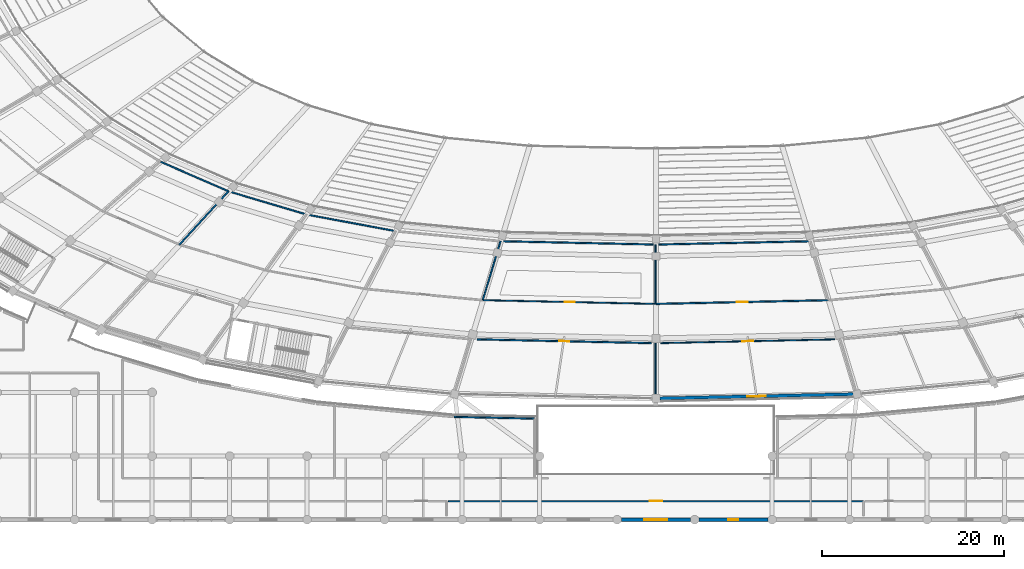
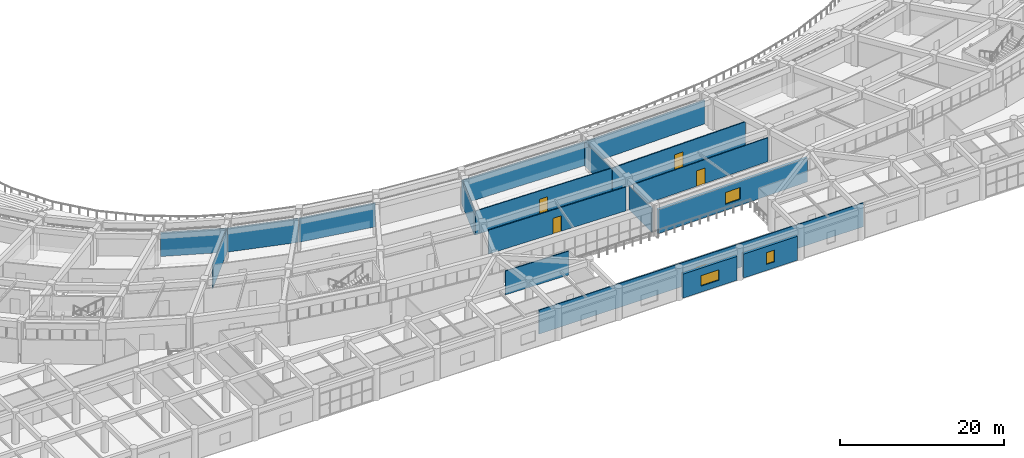
# One storey, part 98 of 152: 18 walls, 5 doors, 3 windows, 8 openings.
"""IFC4 building model written with IfcOpenShell, lengths in metres."""

from ifc_helpers import new_model, si_unit, direction, frame, frame_2d, origin, place, context, subcontext, project, spatial, rectangle, extrude, material, layer, layer_set, type_object, element, fill, save


model = new_model("IFC4")

# Units and contexts
model_context = context("Model", 3, precision=1e-05, world=origin(), true_north=direction((0.0, 1.0)))
body_context = subcontext(model_context, "Body", "Model", "MODEL_VIEW")
ifc_project = project(units=[si_unit("LENGTHUNIT", "METRE"), si_unit("AREAUNIT", "SQUARE_METRE"), si_unit("VOLUMEUNIT", "CUBIC_METRE"), si_unit("PLANEANGLEUNIT", "RADIAN"), si_unit("MASSUNIT", "GRAM", prefix="KILO")], contexts=[model_context])

# Site, building, storey
site_placement = place(None, origin())
site = spatial("IfcSite", under=ifc_project, at=site_placement, CompositionType="ELEMENT")
building_placement = place(site_placement, origin())
building = spatial("IfcBuilding", under=site, at=building_placement, Name="Mphavela Belvedere Stadium", CompositionType="ELEMENT")
storey_placement = place(building_placement, frame((0.0, 0.0, 5.39990234375)))
storey = spatial("IfcBuildingStorey", under=building, at=storey_placement, Name="L01", CompositionType="ELEMENT", Elevation=5.39990234375)

# Wall, opening, window
ifc_material_1 = material(Name="Honed ashlar limestone masonry", Category="masonry")
ifc_layer_1 = layer(ifc_material_1, 0.35009765625)
ifc_layer_set_1 = layer_set([ifc_layer_1], Name="Honed ashlar limestone masonry")
wall_type_1 = type_object("IfcWallType", Name="WAL-EXT-ASHLAR-350", PredefinedType="STANDARD", material=ifc_layer_set_1)
wall_1_placement = place(storey_placement, frame((115.4228515625, 13.339111328125, 0.0), z_axis=(0.0, 0.0, 1.0), x_axis=(0.999768218464, 0.021529267282, 0.0)))
wall_1 = element("IfcWall", 1, at=wall_1_placement, inside=storey, type_object=wall_type_1, Name="Classical ashlar facade wall L01-37", PredefinedType="STANDARD", context=body_context, shape_type="SweptSolid", body=[
    extrude(rectangle(XDim=21.273681640625, YDim=0.35009765625, at=frame_2d((10.63671875, 0.0))), origin(), (0.0, 0.0, 1.0), 3.570068359375),
])
opening_1_placement = place(wall_1_placement, frame((9.596923828125, 0.0, 0.89990234375)))
opening_1 = element("IfcOpeningElement", 2, at=opening_1_placement, cuts=wall_1, Name="Opening W-019", PredefinedType="OPENING", context=body_context, shape_type="SweptSolid", body=[
    extrude(rectangle(XDim=2.080078125, YDim=1.75, at=frame_2d((1.0400390625, 0.875))), frame((0.0, 0.18505859375, 0.0), z_axis=(0.0, -1.0, 0.0), x_axis=(1.0, 0.0, 0.0)), (0.0, 0.0, 1.0), 0.3701171875),
])
ifc_material_2 = material(Name="Bronze-anodised thermally broken aluminium window", Category="aluminium")
window_type_1 = type_object("IfcWindowType", Name="WIN-EXT-19", PartitioningType="SINGLE_PANEL", PredefinedType="WINDOW", material=ifc_material_2)
window_1_placement = place(opening_1_placement, origin())
window_1 = element("IfcWindow", 3, at=window_1_placement, inside=storey, type_object=window_type_1, Name="Belvedere gallery window W-019", OverallHeight=1.75, OverallWidth=2.080078125, PartitioningType="SINGLE_PANEL", PredefinedType="WINDOW", context=body_context, shape_type="SweptSolid", body=[
    extrude(rectangle(XDim=2.080078125, YDim=1.75, at=frame_2d((1.0400390625, 0.875))), frame((0.0, 0.030029296875, 0.0), z_axis=(0.0, -1.0, 0.0), x_axis=(1.0, 0.0, 0.0)), (0.0, 0.0, 1.0), 0.06005859375),
])
fill(opening_1, window_1)

wall_2_placement = place(storey_placement, frame((118.785888671875, 0.0, 0.0), z_axis=(0.0, 0.0, 1.0), x_axis=(-1.0, 0.0, 0.0)))
wall_2 = element("IfcWall", 4, at=wall_2_placement, inside=storey, type_object=wall_type_1, Name="South Axial Triumphal Peristyle Portico outer facade bay L01-14", PredefinedType="STANDARD", context=body_context, shape_type="SweptSolid", body=[
    extrude(rectangle(XDim=7.57177734375, YDim=0.35009765625, at=frame_2d((3.785888671875, 0.0))), origin(), (0.0, 0.0, 1.0), 3.56005859375),
])
opening_2_placement = place(wall_2_placement, frame((2.52587890625, 0.0, 0.89990234375)))
opening_2 = element("IfcOpeningElement", 5, at=opening_2_placement, cuts=wall_2, Name="Opening W-055", PredefinedType="OPENING", context=body_context, shape_type="SweptSolid", body=[
    extrude(rectangle(XDim=2.52001953125, YDim=1.550048828125, at=frame_2d((1.260009765625, 0.77490234375))), frame((0.0, 0.18505859375, 0.0), z_axis=(0.0, -1.0, 0.0), x_axis=(1.0, 0.0, 0.0)), (0.0, 0.0, 1.0), 0.3701171875),
])
ifc_material_3 = material(Name="Bronze-anodised thermally broken aluminium window", Category="aluminium")
window_type_2 = type_object("IfcWindowType", Name="WIN-EXT-11", PartitioningType="SINGLE_PANEL", PredefinedType="WINDOW", material=ifc_material_3)
window_2_placement = place(opening_2_placement, origin())
window_2 = element("IfcWindow", 6, at=window_2_placement, inside=storey, type_object=window_type_2, Name="South Axial Triumphal Peristyle Portico classical window W-055", OverallHeight=1.550048828125, OverallWidth=2.52001953125, PartitioningType="SINGLE_PANEL", PredefinedType="WINDOW", context=body_context, shape_type="SweptSolid", body=[
    extrude(rectangle(XDim=2.52001953125, YDim=1.550048828125, at=frame_2d((1.260009765625, 0.77490234375))), frame((0.0, 0.030029296875, 0.0), z_axis=(0.0, -1.0, 0.0), x_axis=(1.0, 0.0, 0.0)), (0.0, 0.0, 1.0), 0.06005859375),
])
fill(opening_2, window_2)

wall_3_placement = place(storey_placement, frame((127.304931640625, 0.0, 0.0), z_axis=(0.0, 0.0, 1.0), x_axis=(-1.0, 0.0, 0.0)))
wall_3 = element("IfcWall", 7, at=wall_3_placement, inside=storey, type_object=wall_type_1, Name="South Axial Triumphal Peristyle Portico outer facade bay L01-15", PredefinedType="STANDARD", context=body_context, shape_type="SweptSolid", body=[
    extrude(rectangle(XDim=7.572998046875, YDim=0.35009765625, at=frame_2d((3.78662109375, 0.0))), origin(), (0.0, 0.0, 1.0), 3.56005859375),
])
opening_3_placement = place(wall_3_placement, frame((3.236572265625, 0.0, 0.89990234375)))
opening_3 = element("IfcOpeningElement", 8, at=opening_3_placement, cuts=wall_3, Name="Opening W-056", PredefinedType="OPENING", context=body_context, shape_type="SweptSolid", body=[
    extrude(rectangle(XDim=1.10009765625, YDim=1.75, at=frame_2d((0.550048828125, 0.875))), frame((0.0, 0.18505859375, 0.0), z_axis=(0.0, -1.0, 0.0), x_axis=(1.0, 0.0, 0.0)), (0.0, 0.0, 1.0), 0.3701171875),
])
ifc_material_4 = material(Name="Bronze-anodised thermally broken aluminium window", Category="aluminium")
window_type_3 = type_object("IfcWindowType", Name="WIN-EXT-12", PartitioningType="SINGLE_PANEL", PredefinedType="WINDOW", material=ifc_material_4)
window_3_placement = place(opening_3_placement, origin())
window_3 = element("IfcWindow", 9, at=window_3_placement, inside=storey, type_object=window_type_3, Name="South Axial Triumphal Peristyle Portico classical window W-056", OverallHeight=1.75, OverallWidth=1.10009765625, PartitioningType="SINGLE_PANEL", PredefinedType="WINDOW", context=body_context, shape_type="SweptSolid", body=[
    extrude(rectangle(XDim=1.10009765625, YDim=1.75, at=frame_2d((0.550048828125, 0.875))), frame((0.0, 0.030029296875, 0.0), z_axis=(0.0, -1.0, 0.0), x_axis=(1.0, 0.0, 0.0)), (0.0, 0.0, 1.0), 0.06005859375),
])
fill(opening_3, window_3)

# Wall, opening, door
ifc_material_5 = material(Name="Moisture-resistant sanitary partition assembly")
ifc_layer_2 = layer(ifc_material_5, 0.125)
ifc_layer_set_2 = layer_set([ifc_layer_2], Name="Moisture-resistant sanitary partition assembly")
wall_type_2 = type_object("IfcWallType", Name="WAL-PART-125", PredefinedType="PARTITIONING", material=ifc_layer_set_2)
wall_4_placement = place(storey_placement, frame((114.9599609375, 23.726318359375, 0.0), z_axis=(0.0, 0.0, 1.0), x_axis=(-0.999768266483, 0.021527037261, 0.0)))
wall_4 = element("IfcWall", 10, at=wall_4_placement, inside=storey, type_object=wall_type_2, Name="Room L01-125 corridor partition", PredefinedType="PARTITIONING", context=body_context, shape_type="SweptSolid", body=[
    extrude(rectangle(XDim=18.9169921875, YDim=0.125, at=frame_2d((9.45849609375, 0.0))), origin(), (0.0, 0.0, 1.0), 3.550048828125),
])
opening_4_placement = place(wall_4_placement, frame((8.908447265625, 0.0, 0.0)))
opening_4 = element("IfcOpeningElement", 11, at=opening_4_placement, cuts=wall_4, Name="Opening ID-138", PredefinedType="OPENING", context=body_context, shape_type="SweptSolid", body=[
    extrude(rectangle(XDim=1.10009765625, YDim=2.300048828125, at=frame_2d((0.550048828125, 1.14990234375))), frame((0.0, 0.072509765625, 0.0), z_axis=(0.0, -1.0, 0.0), x_axis=(1.0, 0.0, 0.0)), (0.0, 0.0, 1.0), 0.14501953125),
])
ifc_material_6 = material(Name="Hardwood acoustic timber doorset", Category="wood")
door_type_1 = type_object("IfcDoorType", Name="DR-INT-30", OperationType="NOTDEFINED", PredefinedType="DOOR", material=ifc_material_6)
door_1_placement = place(opening_4_placement, origin())
door_1 = element("IfcDoor", 12, at=door_1_placement, inside=storey, type_object=door_type_1, Name="Room L01-125 entrance door ID-138", OperationType="SINGLE_SWING_RIGHT", OverallHeight=2.300048828125, OverallWidth=1.10009765625, PredefinedType="DOOR", context=body_context, shape_type="SweptSolid", body=[
    extrude(rectangle(XDim=1.10009765625, YDim=2.300048828125, at=frame_2d((0.550048828125, 1.14990234375))), frame((0.0, 0.02490234375, 0.0), z_axis=(0.0, -1.0, 0.0), x_axis=(1.0, 0.0, 0.0)), (0.0, 0.0, 1.0), 0.050048828125),
])
fill(opening_4, door_1)

wall_5_placement = place(storey_placement, frame((115.51123046875, 19.4169921875, 0.0), z_axis=(0.0, 0.0, 1.0), x_axis=(0.999768107727, 0.021534409017, 0.0)))
wall_5 = element("IfcWall", 13, at=wall_5_placement, inside=storey, type_object=wall_type_2, Name="Room L01-129 corridor partition", PredefinedType="PARTITIONING", context=body_context, shape_type="SweptSolid", body=[
    extrude(rectangle(XDim=19.13720703125, YDim=0.125, at=frame_2d((9.568603515625, 0.0))), origin(), (0.0, 0.0, 1.0), 3.550048828125),
])
opening_5_placement = place(wall_5_placement, frame((8.958740234375, 0.0, 0.0)))
opening_5 = element("IfcOpeningElement", 14, at=opening_5_placement, cuts=wall_5, Name="Opening ID-141", PredefinedType="OPENING", context=body_context, shape_type="SweptSolid", body=[
    extrude(rectangle(XDim=1.219970703125, YDim=2.300048828125, at=frame_2d((0.60986328125, 1.14990234375))), frame((0.0, 0.072509765625, 0.0), z_axis=(0.0, -1.0, 0.0), x_axis=(1.0, 0.0, 0.0)), (0.0, 0.0, 1.0), 0.14501953125),
])
ifc_material_7 = material(Name="Hardwood acoustic timber doorset", Category="wood")
door_type_2 = type_object("IfcDoorType", Name="DR-INT-33", OperationType="NOTDEFINED", PredefinedType="DOOR", material=ifc_material_7)
door_2_placement = place(opening_5_placement, origin())
door_2 = element("IfcDoor", 15, at=door_2_placement, inside=storey, type_object=door_type_2, Name="Room L01-129 entrance door ID-141", OperationType="SINGLE_SWING_LEFT", OverallHeight=2.300048828125, OverallWidth=1.219970703125, PredefinedType="DOOR", context=body_context, shape_type="SweptSolid", body=[
    extrude(rectangle(XDim=1.219970703125, YDim=2.300048828125, at=frame_2d((0.60986328125, 1.14990234375))), frame((0.0, 0.02490234375, 0.0), z_axis=(0.0, -1.0, 0.0), x_axis=(1.0, 0.0, 0.0)), (0.0, 0.0, 1.0), 0.050048828125),
])
fill(opening_5, door_2)

wall_6_placement = place(storey_placement, frame((92.18994140625, 2.0400390625, 0.0), z_axis=(0.0, 0.0, 1.0), x_axis=(1.0, 0.0, 0.0)))
wall_6 = element("IfcWall", 16, at=wall_6_placement, inside=storey, type_object=wall_type_2, Name="Room L01-165 corridor partition", PredefinedType="PARTITIONING", context=body_context, shape_type="SweptSolid", body=[
    extrude(rectangle(XDim=45.6201171875, YDim=0.125, at=frame_2d((22.81005859375, 0.0))), origin(), (0.0, 0.0, 1.0), 3.550048828125),
])
opening_6_placement = place(wall_6_placement, frame((22.110107421875, 0.0, 0.0)))
opening_6 = element("IfcOpeningElement", 17, at=opening_6_placement, cuts=wall_6, Name="Opening ID-384", PredefinedType="OPENING", context=body_context, shape_type="SweptSolid", body=[
    extrude(rectangle(XDim=1.39990234375, YDim=2.199951171875, at=frame_2d((0.699951171875, 1.10009765625))), frame((0.0, 0.072509765625, 0.0), z_axis=(0.0, -1.0, 0.0), x_axis=(1.0, 0.0, 0.0)), (0.0, 0.0, 1.0), 0.14501953125),
])
ifc_material_8 = material(Name="Hardwood acoustic timber doorset", Category="wood")
door_type_3 = type_object("IfcDoorType", Name="DR-INT-24", OperationType="NOTDEFINED", PredefinedType="DOOR", material=ifc_material_8)
door_3_placement = place(opening_6_placement, origin())
door_3 = element("IfcDoor", 18, at=door_3_placement, inside=storey, type_object=door_type_3, Name="Room L01-165 entrance door ID-384", OperationType="SINGLE_SWING_RIGHT", OverallHeight=2.199951171875, OverallWidth=1.39990234375, PredefinedType="DOOR", context=body_context, shape_type="SweptSolid", body=[
    extrude(rectangle(XDim=1.39990234375, YDim=2.199951171875, at=frame_2d((0.699951171875, 1.10009765625))), frame((0.0, 0.02490234375, 0.0), z_axis=(0.0, -1.0, 0.0), x_axis=(1.0, 0.0, 0.0)), (0.0, 0.0, 1.0), 0.050048828125),
])
fill(opening_6, door_3)

ifc_material_9 = material(Name="Acoustic gypsum stud partition assembly")
ifc_layer_3 = layer(ifc_material_9, 0.14990234375)
ifc_layer_set_3 = layer_set([ifc_layer_3], Name="Acoustic gypsum stud partition assembly")
wall_type_3 = type_object("IfcWallType", Name="WAL-PART-150", PredefinedType="PARTITIONING", material=ifc_layer_set_3)
wall_7_placement = place(storey_placement, frame((95.35595703125, 19.8291015625, 0.0), z_axis=(0.0, 0.0, 1.0), x_axis=(0.999768107727, -0.021534409017, 0.0)))
wall_7 = element("IfcWall", 19, at=wall_7_placement, inside=storey, type_object=wall_type_3, Name="Room L01-126 corridor partition", PredefinedType="PARTITIONING", context=body_context, shape_type="SweptSolid", body=[
    extrude(rectangle(XDim=19.13720703125, YDim=0.14990234375, at=frame_2d((9.568603515625, 0.0))), origin(), (0.0, 0.0, 1.0), 3.550048828125),
])
opening_7_placement = place(wall_7_placement, frame((8.998779296875, 0.0, 0.0)))
opening_7 = element("IfcOpeningElement", 20, at=opening_7_placement, cuts=wall_7, Name="Opening ID-139", PredefinedType="OPENING", context=body_context, shape_type="SweptSolid", body=[
    extrude(rectangle(XDim=1.139892578125, YDim=2.300048828125, at=frame_2d((0.56982421875, 1.14990234375))), frame((0.0, 0.0849609375, 0.0), z_axis=(0.0, -1.0, 0.0), x_axis=(1.0, 0.0, 0.0)), (0.0, 0.0, 1.0), 0.169921875),
])
ifc_material_10 = material(Name="Hardwood acoustic timber doorset", Category="wood")
door_type_4 = type_object("IfcDoorType", Name="DR-INT-31", OperationType="NOTDEFINED", PredefinedType="DOOR", material=ifc_material_10)
door_4_placement = place(opening_7_placement, origin())
door_4 = element("IfcDoor", 21, at=door_4_placement, inside=storey, type_object=door_type_4, Name="Room L01-126 entrance door ID-139", OperationType="SINGLE_SWING_LEFT", OverallHeight=2.300048828125, OverallWidth=1.139892578125, PredefinedType="DOOR", context=body_context, shape_type="SweptSolid", body=[
    extrude(rectangle(XDim=1.139892578125, YDim=2.300048828125, at=frame_2d((0.56982421875, 1.14990234375))), frame((0.0, 0.02490234375, 0.0), z_axis=(0.0, -1.0, 0.0), x_axis=(1.0, 0.0, 0.0)), (0.0, 0.0, 1.0), 0.050048828125),
])
fill(opening_7, door_4)

wall_8_placement = place(storey_placement, frame((133.95263671875, 24.133544921875, 0.0), z_axis=(0.0, 0.0, 1.0), x_axis=(-0.999768266483, -0.021527037261, 0.0)))
wall_8 = element("IfcWall", 22, at=wall_8_placement, inside=storey, type_object=wall_type_3, Name="Room L01-128 corridor partition", PredefinedType="PARTITIONING", context=body_context, shape_type="SweptSolid", body=[
    extrude(rectangle(XDim=18.9169921875, YDim=0.14990234375, at=frame_2d((9.45849609375, 0.0))), origin(), (0.0, 0.0, 1.0), 3.550048828125),
])
opening_8_placement = place(wall_8_placement, frame((8.868408203125, 0.0, 0.0)))
opening_8 = element("IfcOpeningElement", 23, at=opening_8_placement, cuts=wall_8, Name="Opening ID-140", PredefinedType="OPENING", context=body_context, shape_type="SweptSolid", body=[
    extrude(rectangle(XDim=1.179931640625, YDim=2.300048828125, at=frame_2d((0.58984375, 1.14990234375))), frame((0.0, 0.0849609375, 0.0), z_axis=(0.0, -1.0, 0.0), x_axis=(1.0, 0.0, 0.0)), (0.0, 0.0, 1.0), 0.169921875),
])
ifc_material_11 = material(Name="Hardwood acoustic timber doorset", Category="wood")
door_type_5 = type_object("IfcDoorType", Name="DR-INT-32", OperationType="NOTDEFINED", PredefinedType="DOOR", material=ifc_material_11)
door_5_placement = place(opening_8_placement, origin())
door_5 = element("IfcDoor", 24, at=door_5_placement, inside=storey, type_object=door_type_5, Name="Room L01-128 entrance door ID-140", OperationType="SINGLE_SWING_RIGHT", OverallHeight=2.300048828125, OverallWidth=1.179931640625, PredefinedType="DOOR", context=body_context, shape_type="SweptSolid", body=[
    extrude(rectangle(XDim=1.179931640625, YDim=2.300048828125, at=frame_2d((0.58984375, 1.14990234375))), frame((0.0, 0.02490234375, 0.0), z_axis=(0.0, -1.0, 0.0), x_axis=(1.0, 0.0, 0.0)), (0.0, 0.0, 1.0), 0.050048828125),
])
fill(opening_8, door_5)

# Walls
wall_9_placement = place(storey_placement, frame((60.584716796875, 39.33203125, 0.0), z_axis=(0.0, 0.0, 1.0), x_axis=(0.917496646276, -0.397743515436, 0.0)))
element("IfcWall", 25, at=wall_9_placement, inside=storey, type_object=wall_type_3, Name="Room divider partition L01-0232", PredefinedType="PARTITIONING", context=body_context, shape_type="SweptSolid", body=[
    extrude(rectangle(XDim=8.10595703125, YDim=0.14990234375, at=frame_2d((4.052978515625, 0.0))), origin(), (0.0, 0.0, 1.0), 3.550048828125),
])
wall_10_placement = place(storey_placement, frame((68.02197265625, 36.10791015625, 0.0), z_axis=(0.0, 0.0, 1.0), x_axis=(-0.677861530409, -0.735189598397, 0.0)))
element("IfcWall", 26, at=wall_10_placement, inside=storey, type_object=wall_type_3, Name="Room divider partition L01-0233", PredefinedType="PARTITIONING", context=body_context, shape_type="SweptSolid", body=[
    extrude(rectangle(XDim=7.97216796875, YDim=0.14990234375, at=frame_2d((3.986083984375, 0.0))), origin(), (0.0, 0.0, 1.0), 3.550048828125),
])
wall_11_placement = place(storey_placement, frame((68.10205078125, 36.076904296875, 0.0), z_axis=(0.0, 0.0, 1.0), x_axis=(0.958654852333, -0.284571386646, 0.0)))
element("IfcWall", 27, at=wall_11_placement, inside=storey, type_object=wall_type_3, Name="Room divider partition L01-0235", PredefinedType="PARTITIONING", context=body_context, shape_type="SweptSolid", body=[
    extrude(rectangle(XDim=8.861572265625, YDim=0.14990234375, at=frame_2d((4.4306640625, 0.0))), origin(), (0.0, 0.0, 1.0), 3.550048828125),
])
wall_12_placement = place(storey_placement, frame((76.68017578125, 33.533447265625, 0.0), z_axis=(0.0, 0.0, 1.0), x_axis=(0.98309647403, -0.183088292225, 0.0)))
element("IfcWall", 28, at=wall_12_placement, inside=storey, type_object=wall_type_3, Name="Room divider partition L01-0240", PredefinedType="PARTITIONING", context=body_context, shape_type="SweptSolid", body=[
    extrude(rectangle(XDim=9.8876953125, YDim=0.14990234375, at=frame_2d((4.94384765625, 0.0))), origin(), (0.0, 0.0, 1.0), 3.550048828125),
])
wall_13_placement = place(storey_placement, frame((97.923583984375, 30.619384765625, 0.0), z_axis=(0.0, 0.0, 1.0), x_axis=(-0.289242753829, -0.95725578053, 0.0)))
element("IfcWall", 29, at=wall_13_placement, inside=storey, type_object=wall_type_3, Name="Room divider partition L01-0243", PredefinedType="PARTITIONING", context=body_context, shape_type="SweptSolid", body=[
    extrude(rectangle(XDim=6.77099609375, YDim=0.14990234375, at=frame_2d((3.385498046875, 0.0))), origin(), (0.0, 0.0, 1.0), 3.550048828125),
])
wall_14_placement = place(storey_placement, frame((98.00537109375, 30.614013671875, 0.0), z_axis=(0.0, 0.0, 1.0), x_axis=(0.99976805362, -0.021536920891, 0.0)))
element("IfcWall", 30, at=wall_14_placement, inside=storey, type_object=wall_type_3, Name="Room divider partition L01-0246", PredefinedType="PARTITIONING", context=body_context, shape_type="SweptSolid", body=[
    extrude(rectangle(XDim=16.95849609375, YDim=0.14990234375, at=frame_2d((8.479248046875, 0.0))), origin(), (0.0, 0.0, 1.0), 3.550048828125),
])
wall_15_placement = place(storey_placement, frame((114.9599609375, 30.248779296875, 0.0), z_axis=(0.0, 0.0, 1.0), x_axis=(0.0, -1.0, 0.0)))
element("IfcWall", 31, at=wall_15_placement, inside=storey, type_object=wall_type_3, Name="Room divider partition L01-0247", PredefinedType="PARTITIONING", context=body_context, shape_type="SweptSolid", body=[
    extrude(rectangle(XDim=6.5224609375, YDim=0.14990234375, at=frame_2d((3.26123046875, 0.0))), origin(), (0.0, 0.0, 1.0), 3.550048828125),
])
wall_16_placement = place(storey_placement, frame((114.9599609375, 19.406982421875, 0.0), z_axis=(0.0, 0.0, 1.0), x_axis=(0.0, -1.0, 0.0)))
element("IfcWall", 32, at=wall_16_placement, inside=storey, type_object=wall_type_3, Name="Room divider partition L01-0248", PredefinedType="PARTITIONING", context=body_context, shape_type="SweptSolid", body=[
    extrude(rectangle(XDim=5.576904296875, YDim=0.14990234375, at=frame_2d((2.78857421875, 0.0))), origin(), (0.0, 0.0, 1.0), 3.550048828125),
])
wall_17_placement = place(storey_placement, frame((115.0400390625, 30.248779296875, 0.0), z_axis=(0.0, 0.0, 1.0), x_axis=(0.99976805362, 0.021536920891, 0.0)))
element("IfcWall", 33, at=wall_17_placement, inside=storey, type_object=wall_type_3, Name="Room divider partition L01-0249", PredefinedType="PARTITIONING", context=body_context, shape_type="SweptSolid", body=[
    extrude(rectangle(XDim=16.95849609375, YDim=0.14990234375, at=frame_2d((8.479248046875, 0.0))), origin(), (0.0, 0.0, 1.0), 3.550048828125),
])
wall_18_placement = place(storey_placement, frame((92.83154296875, 11.306884765625, 0.0), z_axis=(0.0, 0.0, 1.0), x_axis=(0.999768109674, -0.021534318641, 0.0)))
element("IfcWall", 34, at=wall_18_placement, inside=storey, type_object=wall_type_3, Name="Room divider partition L01-0733", PredefinedType="PARTITIONING", context=body_context, shape_type="SweptSolid", body=[
    extrude(rectangle(XDim=8.8203125, YDim=0.14990234375, at=frame_2d((4.41015625, 0.0))), origin(), (0.0, 0.0, 1.0), 3.550048828125),
])

save(model, "model.ifc")
